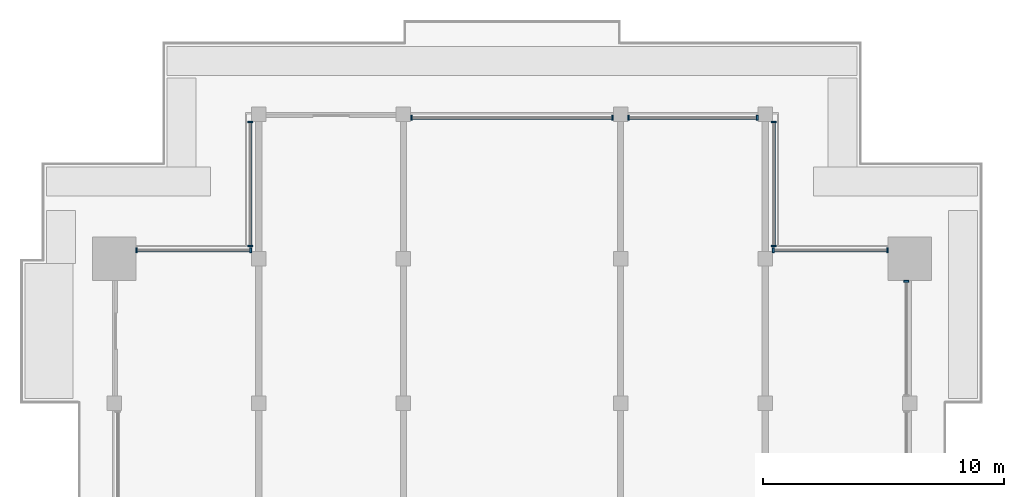
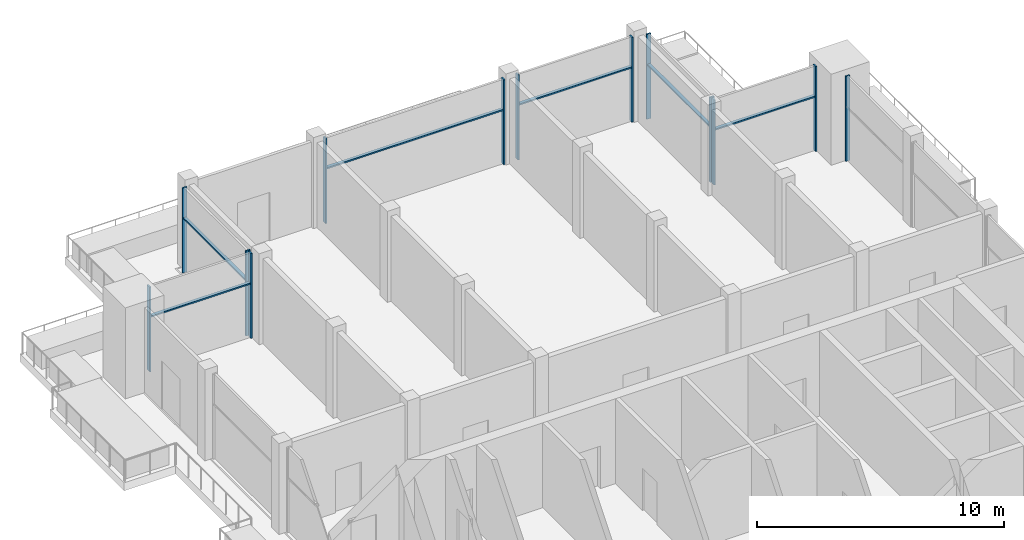
# One storey, part 4 of 9: 19 members, 7 elements without a shape of their own.
"""IFC4 building model written with IfcOpenShell, lengths in metres."""

from ifc_helpers import new_model, si_unit, direction, frame, origin, origin_2d, place, context, subcontext, project, spatial, rectangle, extrude, material, material_profile, profile_set, type_object, element, aggregate, save


model = new_model("IFC4")

# Units and contexts
model_context = context("Model", 3, precision=1e-05, world=origin(), true_north=direction((0.0, 1.0)))
body_context = subcontext(model_context, "Body", "Model", "MODEL_VIEW")
ifc_project = project(units=[si_unit("LENGTHUNIT", "METRE"), si_unit("AREAUNIT", "SQUARE_METRE"), si_unit("VOLUMEUNIT", "CUBIC_METRE"), si_unit("PLANEANGLEUNIT", "RADIAN"), si_unit("MASSUNIT", "GRAM", prefix="KILO")], contexts=[model_context])

# Site, building, storey
site_placement = place(None, origin())
site = spatial("IfcSite", under=ifc_project, at=site_placement, CompositionType="ELEMENT")
building_placement = place(site_placement, origin())
building = spatial("IfcBuilding", under=site, at=building_placement, Name="Finial Court Residences", CompositionType="ELEMENT")
storey_placement = place(building_placement, frame((0.0, 0.0, 298.699951171875)))
storey = spatial("IfcBuildingStorey", under=building, at=storey_placement, Name="L76", CompositionType="ELEMENT", Elevation=298.699951171875)

# Curtain wall, members
ifc_material = material(Name="Bronze anodised aluminium", Category="aluminium")
curtain_wall_type = type_object("IfcCurtainWallType", Name="Crown lantern glazing", PredefinedType="NOTDEFINED", material=ifc_material)
curtain_wall_1_placement = place(storey_placement, origin())
curtain_wall_1 = element("IfcCurtainWall", 1, at=curtain_wall_1_placement, inside=storey, type_object=curtain_wall_type, Name="E-L76-CW-N1c1", PredefinedType="NOTDEFINED")
ifc_material_profile_1 = material_profile(ifc_material, rectangle(XDim=0.199951171875, YDim=0.070068359375, at=origin_2d()), Name="CW6 mullion 70 x 200")
ifc_profile_set_1 = profile_set([ifc_material_profile_1], Name="Bronze anodised aluminium")
member_type_1 = type_object("IfcMemberType", Name="CW6 mullion 70 x 200", PredefinedType="MULLION", material=ifc_profile_set_1)
member_1_placement = place(storey_placement, frame((-4.1650390625, 13.35009765625, 0.0), z_axis=(0.0, 0.0, 1.0), x_axis=(0.0, 1.0, 0.0)))
member_1 = element("IfcMember", 2, at=member_1_placement, type_object=member_type_1, Name="CW6 mullion 1", PredefinedType="MULLION", context=body_context, shape_type="SweptSolid", body=[
    extrude(rectangle(XDim=0.199951171875, YDim=0.070068359375, at=origin_2d()), origin(), (0.0, 0.0, 1.0), 4.199951171875),
])
member_2_placement = place(storey_placement, frame((4.1650390625, 13.35009765625, 0.0), z_axis=(0.0, 0.0, 1.0), x_axis=(0.0, 1.0, 0.0)))
member_2 = element("IfcMember", 3, at=member_2_placement, type_object=member_type_1, Name="CW6 mullion 2", PredefinedType="MULLION", context=body_context, shape_type="SweptSolid", body=[
    extrude(rectangle(XDim=0.199951171875, YDim=0.070068359375, at=origin_2d()), origin(), (0.0, 0.0, 1.0), 4.199951171875),
])

curtain_wall_2_placement = place(storey_placement, origin())
curtain_wall_2 = element("IfcCurtainWall", 4, at=curtain_wall_2_placement, inside=storey, type_object=curtain_wall_type, Name="E-L76-CW-N1c2", PredefinedType="NOTDEFINED")
member_3_placement = place(storey_placement, frame((4.8349609375, 13.35009765625, 0.0), z_axis=(0.0, 0.0, 1.0), x_axis=(0.0, 1.0, 0.0)))
member_3 = element("IfcMember", 5, at=member_3_placement, type_object=member_type_1, Name="CW6 mullion 1", PredefinedType="MULLION", context=body_context, shape_type="SweptSolid", body=[
    extrude(rectangle(XDim=0.199951171875, YDim=0.070068359375, at=origin_2d()), origin(), (0.0, 0.0, 1.0), 4.199951171875),
])
member_4_placement = place(storey_placement, frame((10.1650390625, 13.35009765625, 0.0), z_axis=(0.0, 0.0, 1.0), x_axis=(0.0, 1.0, 0.0)))
member_4 = element("IfcMember", 6, at=member_4_placement, type_object=member_type_1, Name="CW6 mullion 2", PredefinedType="MULLION", context=body_context, shape_type="SweptSolid", body=[
    extrude(rectangle(XDim=0.199951171875, YDim=0.070068359375, at=origin_2d()), origin(), (0.0, 0.0, 1.0), 4.199951171875),
])

# Curtain wall, member
curtain_wall_3_placement = place(storey_placement, origin())
curtain_wall_3 = element("IfcCurtainWall", 7, at=curtain_wall_3_placement, inside=storey, type_object=curtain_wall_type, Name="E-L76-CW-E2c4", PredefinedType="NOTDEFINED")
member_5_placement = place(storey_placement, frame((16.35009765625, 6.56494140625, 0.0), z_axis=(0.0, 0.0, 1.0), x_axis=(-1.0, 0.0, 0.0)))
member_5 = element("IfcMember", 8, at=member_5_placement, type_object=member_type_1, Name="CW6 mullion 2", PredefinedType="MULLION", context=body_context, shape_type="SweptSolid", body=[
    extrude(rectangle(XDim=0.199951171875, YDim=0.070068359375, at=origin_2d()), origin(), (0.0, 0.0, 1.0), 4.199951171875),
])
aggregate(curtain_wall_3, [member_5])

# Curtain wall, members
curtain_wall_4_placement = place(storey_placement, origin())
curtain_wall_4 = element("IfcCurtainWall", 9, at=curtain_wall_4_placement, inside=storey, type_object=curtain_wall_type, Name="E-L76-CW-W6nc1", PredefinedType="NOTDEFINED")
member_6_placement = place(storey_placement, frame((-10.85009765625, 8.034912109375, 0.0), z_axis=(0.0, 0.0, 1.0), x_axis=(-1.0, 0.0, 0.0)))
member_6 = element("IfcMember", 10, at=member_6_placement, type_object=member_type_1, Name="CW6 mullion 1", PredefinedType="MULLION", context=body_context, shape_type="SweptSolid", body=[
    extrude(rectangle(XDim=0.199951171875, YDim=0.070068359375, at=origin_2d()), origin(), (0.0, 0.0, 1.0), 4.199951171875),
])
member_7_placement = place(storey_placement, frame((-10.85009765625, 13.1650390625, 0.0), z_axis=(0.0, 0.0, 1.0), x_axis=(-1.0, 0.0, 0.0)))
member_7 = element("IfcMember", 11, at=member_7_placement, type_object=member_type_1, Name="CW6 mullion 2", PredefinedType="MULLION", context=body_context, shape_type="SweptSolid", body=[
    extrude(rectangle(XDim=0.199951171875, YDim=0.070068359375, at=origin_2d()), origin(), (0.0, 0.0, 1.0), 4.199951171875),
])

curtain_wall_5_placement = place(storey_placement, origin())
curtain_wall_5 = element("IfcCurtainWall", 12, at=curtain_wall_5_placement, inside=storey, type_object=curtain_wall_type, Name="E-L76-CW-N7nc1", PredefinedType="NOTDEFINED")
member_8_placement = place(storey_placement, frame((-15.56494140625, 7.85009765625, 0.0), z_axis=(0.0, 0.0, 1.0), x_axis=(0.0, 1.0, 0.0)))
member_8 = element("IfcMember", 13, at=member_8_placement, type_object=member_type_1, Name="CW6 mullion 1", PredefinedType="MULLION", context=body_context, shape_type="SweptSolid", body=[
    extrude(rectangle(XDim=0.199951171875, YDim=0.070068359375, at=origin_2d()), origin(), (0.0, 0.0, 1.0), 4.199951171875),
])
member_9_placement = place(storey_placement, frame((-10.8349609375, 7.85009765625, 0.0), z_axis=(0.0, 0.0, 1.0), x_axis=(0.0, 1.0, 0.0)))
member_9 = element("IfcMember", 14, at=member_9_placement, type_object=member_type_1, Name="CW6 mullion 2", PredefinedType="MULLION", context=body_context, shape_type="SweptSolid", body=[
    extrude(rectangle(XDim=0.199951171875, YDim=0.070068359375, at=origin_2d()), origin(), (0.0, 0.0, 1.0), 4.199951171875),
])

curtain_wall_6_placement = place(storey_placement, origin())
curtain_wall_6 = element("IfcCurtainWall", 15, at=curtain_wall_6_placement, inside=storey, type_object=curtain_wall_type, Name="E-L76-CW-E8nc1", PredefinedType="NOTDEFINED")
member_10_placement = place(storey_placement, frame((10.85009765625, 8.034912109375, 0.0), z_axis=(0.0, 0.0, 1.0), x_axis=(-1.0, 0.0, 0.0)))
member_10 = element("IfcMember", 16, at=member_10_placement, type_object=member_type_1, Name="CW6 mullion 1", PredefinedType="MULLION", context=body_context, shape_type="SweptSolid", body=[
    extrude(rectangle(XDim=0.199951171875, YDim=0.070068359375, at=origin_2d()), origin(), (0.0, 0.0, 1.0), 4.199951171875),
])
member_11_placement = place(storey_placement, frame((10.85009765625, 13.1650390625, 0.0), z_axis=(0.0, 0.0, 1.0), x_axis=(-1.0, 0.0, 0.0)))
member_11 = element("IfcMember", 17, at=member_11_placement, type_object=member_type_1, Name="CW6 mullion 2", PredefinedType="MULLION", context=body_context, shape_type="SweptSolid", body=[
    extrude(rectangle(XDim=0.199951171875, YDim=0.070068359375, at=origin_2d()), origin(), (0.0, 0.0, 1.0), 4.199951171875),
])

curtain_wall_7_placement = place(storey_placement, origin())
curtain_wall_7 = element("IfcCurtainWall", 18, at=curtain_wall_7_placement, inside=storey, type_object=curtain_wall_type, Name="E-L76-CW-N9nc1", PredefinedType="NOTDEFINED")
member_12_placement = place(storey_placement, frame((10.8349609375, 7.85009765625, 0.0), z_axis=(0.0, 0.0, 1.0), x_axis=(0.0, 1.0, 0.0)))
member_12 = element("IfcMember", 19, at=member_12_placement, type_object=member_type_1, Name="CW6 mullion 1", PredefinedType="MULLION", context=body_context, shape_type="SweptSolid", body=[
    extrude(rectangle(XDim=0.199951171875, YDim=0.070068359375, at=origin_2d()), origin(), (0.0, 0.0, 1.0), 4.199951171875),
])
member_13_placement = place(storey_placement, frame((15.56494140625, 7.85009765625, 0.0), z_axis=(0.0, 0.0, 1.0), x_axis=(0.0, 1.0, 0.0)))
member_13 = element("IfcMember", 20, at=member_13_placement, type_object=member_type_1, Name="CW6 mullion 2", PredefinedType="MULLION", context=body_context, shape_type="SweptSolid", body=[
    extrude(rectangle(XDim=0.199951171875, YDim=0.070068359375, at=origin_2d()), origin(), (0.0, 0.0, 1.0), 4.199951171875),
])

# Member
ifc_material_profile_2 = material_profile(ifc_material, rectangle(XDim=0.14990234375, YDim=0.070068359375, at=origin_2d()), Name="CW6 transom 70 x 150")
ifc_profile_set_2 = profile_set([ifc_material_profile_2], Name="Bronze anodised aluminium")
member_type_2 = type_object("IfcMemberType", Name="CW6 transom 70 x 150", PredefinedType="USERDEFINED", material=ifc_profile_set_2)
member_14_placement = place(storey_placement, frame((-4.1298828125, 13.35009765625, 2.699951171875), z_axis=(1.0, 0.0, 0.0), x_axis=(0.0, 1.0, 0.0)))
member_14 = element("IfcMember", 21, at=member_14_placement, type_object=member_type_2, Name="CW6 transom 1.1", ObjectType="TRANSOM", PredefinedType="USERDEFINED", context=body_context, shape_type="SweptSolid", body=[
    extrude(rectangle(XDim=0.14990234375, YDim=0.070068359375, at=origin_2d()), origin(), (0.0, 0.0, 1.0), 8.259765625),
])

aggregate(curtain_wall_1, [member_1, member_2, member_14])

member_15_placement = place(storey_placement, frame((4.8701171875, 13.35009765625, 2.699951171875), z_axis=(1.0, 0.0, 0.0), x_axis=(0.0, 1.0, 0.0)))
member_15 = element("IfcMember", 22, at=member_15_placement, type_object=member_type_2, Name="CW6 transom 1.1", ObjectType="TRANSOM", PredefinedType="USERDEFINED", context=body_context, shape_type="SweptSolid", body=[
    extrude(rectangle(XDim=0.14990234375, YDim=0.070068359375, at=origin_2d()), origin(), (0.0, 0.0, 1.0), 5.259765625),
])

aggregate(curtain_wall_2, [member_3, member_4, member_15])

member_16_placement = place(storey_placement, frame((-10.85009765625, 8.070068359375, 2.699951171875), z_axis=(0.0, 1.0, 0.0), x_axis=(-1.0, 0.0, 0.0)))
member_16 = element("IfcMember", 23, at=member_16_placement, type_object=member_type_2, Name="CW6 transom 1.1", ObjectType="TRANSOM", PredefinedType="USERDEFINED", context=body_context, shape_type="SweptSolid", body=[
    extrude(rectangle(XDim=0.14990234375, YDim=0.070068359375, at=origin_2d()), origin(), (0.0, 0.0, 1.0), 5.059814453125),
])

aggregate(curtain_wall_4, [member_6, member_7, member_16])

member_17_placement = place(storey_placement, frame((-15.530029296875, 7.85009765625, 2.699951171875), z_axis=(1.0, 0.0, 0.0), x_axis=(0.0, 1.0, 0.0)))
member_17 = element("IfcMember", 24, at=member_17_placement, type_object=member_type_2, Name="CW6 transom 1.1", ObjectType="TRANSOM", PredefinedType="USERDEFINED", context=body_context, shape_type="SweptSolid", body=[
    extrude(rectangle(XDim=0.14990234375, YDim=0.070068359375, at=origin_2d()), origin(), (0.0, 0.0, 1.0), 4.659912109375),
])

aggregate(curtain_wall_5, [member_8, member_9, member_17])

member_18_placement = place(storey_placement, frame((10.85009765625, 8.070068359375, 2.699951171875), z_axis=(0.0, 1.0, 0.0), x_axis=(-1.0, 0.0, 0.0)))
member_18 = element("IfcMember", 25, at=member_18_placement, type_object=member_type_2, Name="CW6 transom 1.1", ObjectType="TRANSOM", PredefinedType="USERDEFINED", context=body_context, shape_type="SweptSolid", body=[
    extrude(rectangle(XDim=0.14990234375, YDim=0.070068359375, at=origin_2d()), origin(), (0.0, 0.0, 1.0), 5.059814453125),
])

aggregate(curtain_wall_6, [member_10, member_11, member_18])

member_19_placement = place(storey_placement, frame((10.8701171875, 7.85009765625, 2.699951171875), z_axis=(1.0, 0.0, 0.0), x_axis=(0.0, 1.0, 0.0)))
member_19 = element("IfcMember", 26, at=member_19_placement, type_object=member_type_2, Name="CW6 transom 1.1", ObjectType="TRANSOM", PredefinedType="USERDEFINED", context=body_context, shape_type="SweptSolid", body=[
    extrude(rectangle(XDim=0.14990234375, YDim=0.070068359375, at=origin_2d()), origin(), (0.0, 0.0, 1.0), 4.659912109375),
])

aggregate(curtain_wall_7, [member_12, member_13, member_19])

save(model, "model.ifc")
